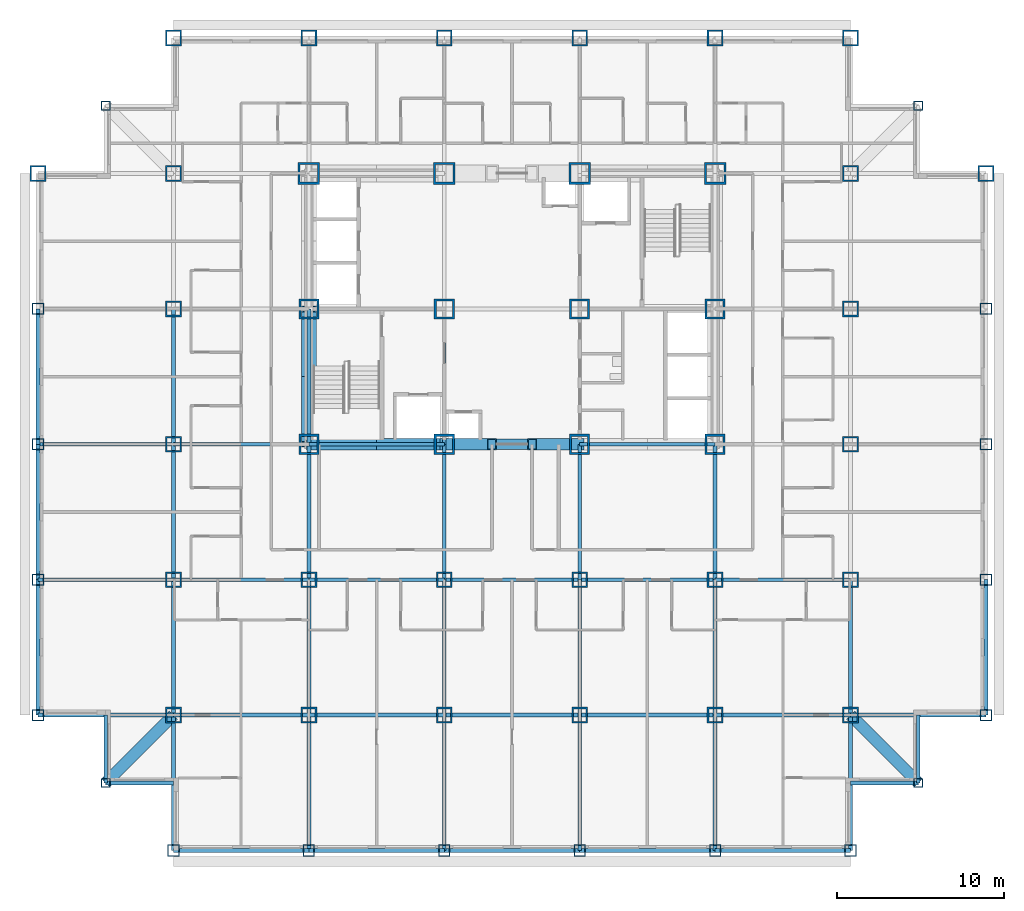
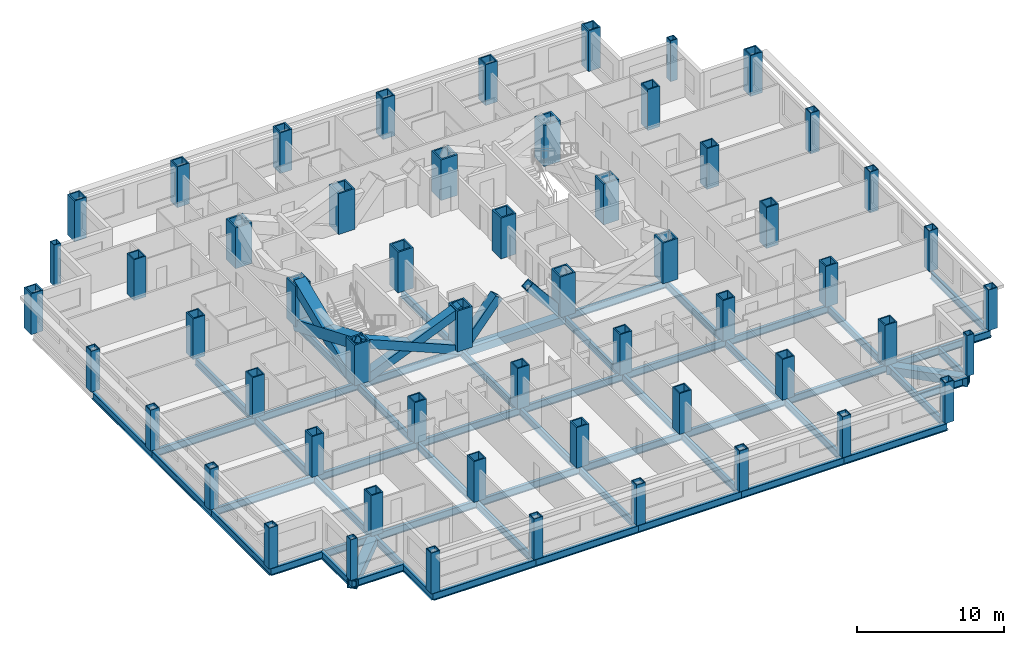
# One storey, part 1 of 12: 56 columns, 53 beams, 6 members.
"""IFC4 building model written with IfcOpenShell, lengths in metres."""

from ifc_helpers import new_model, si_unit, direction, frame, origin, origin_2d, place, context, subcontext, project, spatial, hollow_rectangle, i_section, extrude, material, material_profile, profile_set, type_object, element, save


model = new_model("IFC4")

# Units and contexts
model_context = context("Model", 3, precision=1e-05, world=origin(), true_north=direction((0.0, 1.0)))
body_context = subcontext(model_context, "Body", "Model", "MODEL_VIEW")
ifc_project = project(units=[si_unit("LENGTHUNIT", "METRE"), si_unit("AREAUNIT", "SQUARE_METRE"), si_unit("VOLUMEUNIT", "CUBIC_METRE"), si_unit("PLANEANGLEUNIT", "RADIAN"), si_unit("MASSUNIT", "GRAM", prefix="KILO")], contexts=[model_context])

# Site, building, storey
site_placement = place(None, origin())
site = spatial("IfcSite", under=ifc_project, at=site_placement, CompositionType="ELEMENT")
building_placement = place(site_placement, origin())
building = spatial("IfcBuilding", under=site, at=building_placement, Name="Kopane Lantern Tower", CompositionType="ELEMENT")
storey_placement = place(building_placement, frame((0.0, 0.0, 39.800048828125)))
storey = spatial("IfcBuildingStorey", under=building, at=storey_placement, Name="L08", CompositionType="ELEMENT", Elevation=39.800048828125)

# Columns
ifc_material_1 = material(Name="Steel S355JR", Category="steel")
ifc_material_profile_1 = material_profile(ifc_material_1, hollow_rectangle(XDim=1.199951171875, YDim=1.199951171875, WallThickness=0.1201171875, at=origin_2d()), Name="BOX 1200x1200x120")
ifc_profile_set_1 = profile_set([ifc_material_profile_1], Name="Steel S355JR")
column_type_1 = type_object("IfcColumnType", Name="COLUMN BOX 1200x1200x120", PredefinedType="COLUMN", material=ifc_profile_set_1)
for number, where, z_axis, x_axis, name in (
    (1, (16.199951171875, 24.300048828125, 0.0), (0.0, 0.0, 1.0), (1.0, 0.0, 0.0), "Column 4/E L08"),
    (2, (16.199951171875, 32.39990234375, 0.0), (0.0, 0.0, 1.0), (1.0, 0.0, 0.0), "Column 4/F L08"),
    (3, (24.300048828125, 24.300048828125, 0.0), (0.0, 0.0, 1.0), (1.0, 0.0, 0.0), "Column 5/E L08"),
    (4, (24.300048828125, 32.39990234375, 0.0), (0.0, 0.0, 1.0), (1.0, 0.0, 0.0), "Column 5/F L08"),
    (5, (32.39990234375, 24.300048828125, 0.0), (0.0, 0.0, 1.0), (1.0, 0.0, 0.0), "Column 6/E L08"),
    (6, (32.39990234375, 32.39990234375, 0.0), (0.0, 0.0, 1.0), (1.0, 0.0, 0.0), "Column 6/F L08"),
    (7, (40.5, 24.300048828125, 0.0), (0.0, 0.0, 1.0), (1.0, 0.0, 0.0), "Column 7/E L08"),
    (8, (40.5, 32.39990234375, 0.0), (0.0, 0.0, 1.0), (1.0, 0.0, 0.0), "Column 7/F L08"),
):
    element("IfcColumn", number, at=place(storey_placement, frame(where, z_axis=z_axis, x_axis=x_axis)), inside=storey, type_object=column_type_1, Name=name, PredefinedType="COLUMN", context=body_context, shape_type="SweptSolid", body=[
        extrude(hollow_rectangle(XDim=1.199951171875, YDim=1.199951171875, WallThickness=0.1201171875, at=origin_2d()), origin(), (0.0, 0.0, 1.0), 3.39990234375),
    ])
ifc_material_2 = material(Name="Steel S355JR", Category="steel")
ifc_material_profile_2 = material_profile(ifc_material_2, hollow_rectangle(XDim=1.300048828125, YDim=1.300048828125, WallThickness=0.1298828125, at=origin_2d()), Name="BOX 1300x1300x130")
ifc_profile_set_2 = profile_set([ifc_material_profile_2], Name="Steel S355JR")
column_type_2 = type_object("IfcColumnType", Name="COLUMN BOX 1300x1300x130", PredefinedType="COLUMN", material=ifc_profile_set_2)
for number, where, z_axis, x_axis, name in (
    (9, (16.199951171875, 40.5, 0.0), (0.0, 0.0, 1.0), (1.0, 0.0, 0.0), "Column 4/G L08"),
    (10, (24.300048828125, 40.5, 0.0), (0.0, 0.0, 1.0), (1.0, 0.0, 0.0), "Column 5/G L08"),
    (11, (32.39990234375, 40.5, 0.0), (0.0, 0.0, 1.0), (1.0, 0.0, 0.0), "Column 6/G L08"),
    (12, (40.5, 40.5, 0.0), (0.0, 0.0, 1.0), (1.0, 0.0, 0.0), "Column 7/G L08"),
):
    element("IfcColumn", number, at=place(storey_placement, frame(where, z_axis=z_axis, x_axis=x_axis)), inside=storey, type_object=column_type_2, Name=name, PredefinedType="COLUMN", context=body_context, shape_type="SweptSolid", body=[
        extrude(hollow_rectangle(XDim=1.300048828125, YDim=1.300048828125, WallThickness=0.1298828125, at=origin_2d()), origin(), (0.0, 0.0, 1.0), 3.39990234375),
    ])
ifc_material_3 = material(Name="Steel S355JR", Category="steel")
ifc_material_profile_3 = material_profile(ifc_material_3, hollow_rectangle(XDim=0.550048828125, YDim=0.550048828125, WallThickness=0.050048828125, at=origin_2d()), Name="BOX 550x550x50")
ifc_profile_set_3 = profile_set([ifc_material_profile_3], Name="Steel S355JR")
column_type_3 = type_object("IfcColumnType", Name="COLUMN BOX 550x550x50", PredefinedType="COLUMN", material=ifc_profile_set_3)
for number, where, z_axis, x_axis, name in (
    (13, (4.050048828125, 4.050048828125, 0.0), (0.0, 0.0, 1.0), (1.0, 0.0, 0.0), "Column 4.05/4.05 L08"),
    (14, (4.050048828125, 44.550048828125, 0.0), (0.0, 0.0, 1.0), (1.0, 0.0, 0.0), "Column 4.05/44.55 L08"),
    (15, (52.64990234375, 4.050048828125, 0.0), (0.0, 0.0, 1.0), (1.0, 0.0, 0.0), "Column 52.65/4.05 L08"),
    (16, (52.64990234375, 44.550048828125, 0.0), (0.0, 0.0, 1.0), (1.0, 0.0, 0.0), "Column 52.65/44.55 L08"),
):
    element("IfcColumn", number, at=place(storey_placement, frame(where, z_axis=z_axis, x_axis=x_axis)), inside=storey, type_object=column_type_3, Name=name, PredefinedType="COLUMN", context=body_context, shape_type="SweptSolid", body=[
        extrude(hollow_rectangle(XDim=0.550048828125, YDim=0.550048828125, WallThickness=0.050048828125, at=origin_2d()), origin(), (0.0, 0.0, 1.0), 3.39990234375),
    ])
ifc_material_4 = material(Name="Steel S355JR", Category="steel")
ifc_material_profile_4 = material_profile(ifc_material_4, hollow_rectangle(XDim=0.699951171875, YDim=0.699951171875, WallThickness=0.06005859375, at=origin_2d()), Name="BOX 700x700x60")
ifc_profile_set_4 = profile_set([ifc_material_profile_4], Name="Steel S355JR")
column_type_4 = type_object("IfcColumnType", Name="COLUMN BOX 700x700x60", PredefinedType="COLUMN", material=ifc_profile_set_4)
for number, where, z_axis, x_axis, name in (
    (17, (0.0, 8.10009765625, 0.0), (0.0, 0.0, 1.0), (1.0, 0.0, 0.0), "Column 2/C L08"),
    (18, (0.0, 16.199951171875, 0.0), (0.0, 0.0, 1.0), (1.0, 0.0, 0.0), "Column 2/D L08"),
    (19, (0.0, 24.300048828125, 0.0), (0.0, 0.0, 1.0), (1.0, 0.0, 0.0), "Column 2/E L08"),
    (20, (0.0, 32.39990234375, 0.0), (0.0, 0.0, 1.0), (1.0, 0.0, 0.0), "Column 2/F L08"),
    (21, (8.10009765625, 0.0, 0.0), (0.0, 0.0, 1.0), (1.0, 0.0, 0.0), "Column 3/B L08"),
    (22, (16.199951171875, 0.0, 0.0), (0.0, 0.0, 1.0), (1.0, 0.0, 0.0), "Column 4/B L08"),
    (23, (24.300048828125, 0.0, 0.0), (0.0, 0.0, 1.0), (1.0, 0.0, 0.0), "Column 5/B L08"),
    (24, (32.39990234375, 0.0, 0.0), (0.0, 0.0, 1.0), (1.0, 0.0, 0.0), "Column 6/B L08"),
    (25, (40.5, 0.0, 0.0), (0.0, 0.0, 1.0), (1.0, 0.0, 0.0), "Column 7/B L08"),
    (26, (48.60009765625, 0.0, 0.0), (0.0, 0.0, 1.0), (1.0, 0.0, 0.0), "Column 8/B L08"),
    (27, (56.699951171875, 8.10009765625, 0.0), (0.0, 0.0, 1.0), (1.0, 0.0, 0.0), "Column 9/C L08"),
    (28, (56.699951171875, 16.199951171875, 0.0), (0.0, 0.0, 1.0), (1.0, 0.0, 0.0), "Column 9/D L08"),
    (29, (56.699951171875, 24.300048828125, 0.0), (0.0, 0.0, 1.0), (1.0, 0.0, 0.0), "Column 9/E L08"),
    (30, (56.699951171875, 32.39990234375, 0.0), (0.0, 0.0, 1.0), (1.0, 0.0, 0.0), "Column 9/F L08"),
):
    element("IfcColumn", number, at=place(storey_placement, frame(where, z_axis=z_axis, x_axis=x_axis)), inside=storey, type_object=column_type_4, Name=name, PredefinedType="COLUMN", context=body_context, shape_type="SweptSolid", body=[
        extrude(hollow_rectangle(XDim=0.699951171875, YDim=0.699951171875, WallThickness=0.06005859375, at=origin_2d()), origin(), (0.0, 0.0, 1.0), 3.39990234375),
    ])
ifc_material_5 = material(Name="Steel S355JR", Category="steel")
ifc_material_profile_5 = material_profile(ifc_material_5, hollow_rectangle(XDim=0.949951171875, YDim=0.949951171875, WallThickness=0.094970703125, at=origin_2d()), Name="BOX 950x950x95")
ifc_profile_set_5 = profile_set([ifc_material_profile_5], Name="Steel S355JR")
column_type_5 = type_object("IfcColumnType", Name="COLUMN BOX 950x950x95", PredefinedType="COLUMN", material=ifc_profile_set_5)
for number, where, z_axis, x_axis, name in (
    (31, (0.0, 40.5, 0.0), (0.0, 0.0, 1.0), (1.0, 0.0, 0.0), "Column 2/G L08"),
    (32, (8.10009765625, 8.10009765625, 0.0), (0.0, 0.0, 1.0), (1.0, 0.0, 0.0), "Column 3/C L08"),
    (33, (8.10009765625, 16.199951171875, 0.0), (0.0, 0.0, 1.0), (1.0, 0.0, 0.0), "Column 3/D L08"),
    (34, (8.10009765625, 24.300048828125, 0.0), (0.0, 0.0, 1.0), (1.0, 0.0, 0.0), "Column 3/E L08"),
    (35, (8.10009765625, 32.39990234375, 0.0), (0.0, 0.0, 1.0), (1.0, 0.0, 0.0), "Column 3/F L08"),
    (36, (8.10009765625, 40.5, 0.0), (0.0, 0.0, 1.0), (1.0, 0.0, 0.0), "Column 3/G L08"),
    (37, (8.10009765625, 48.60009765625, 0.0), (0.0, 0.0, 1.0), (1.0, 0.0, 0.0), "Column 3/H L08"),
    (38, (16.199951171875, 8.10009765625, 0.0), (0.0, 0.0, 1.0), (1.0, 0.0, 0.0), "Column 4/C L08"),
    (39, (16.199951171875, 16.199951171875, 0.0), (0.0, 0.0, 1.0), (1.0, 0.0, 0.0), "Column 4/D L08"),
    (40, (16.199951171875, 48.60009765625, 0.0), (0.0, 0.0, 1.0), (1.0, 0.0, 0.0), "Column 4/H L08"),
    (41, (24.300048828125, 8.10009765625, 0.0), (0.0, 0.0, 1.0), (1.0, 0.0, 0.0), "Column 5/C L08"),
    (42, (24.300048828125, 16.199951171875, 0.0), (0.0, 0.0, 1.0), (1.0, 0.0, 0.0), "Column 5/D L08"),
    (43, (24.300048828125, 48.60009765625, 0.0), (0.0, 0.0, 1.0), (1.0, 0.0, 0.0), "Column 5/H L08"),
    (44, (32.39990234375, 8.10009765625, 0.0), (0.0, 0.0, 1.0), (1.0, 0.0, 0.0), "Column 6/C L08"),
    (45, (32.39990234375, 16.199951171875, 0.0), (0.0, 0.0, 1.0), (1.0, 0.0, 0.0), "Column 6/D L08"),
    (46, (32.39990234375, 48.60009765625, 0.0), (0.0, 0.0, 1.0), (1.0, 0.0, 0.0), "Column 6/H L08"),
    (47, (40.5, 8.10009765625, 0.0), (0.0, 0.0, 1.0), (1.0, 0.0, 0.0), "Column 7/C L08"),
    (48, (40.5, 16.199951171875, 0.0), (0.0, 0.0, 1.0), (1.0, 0.0, 0.0), "Column 7/D L08"),
    (49, (40.5, 48.60009765625, 0.0), (0.0, 0.0, 1.0), (1.0, 0.0, 0.0), "Column 7/H L08"),
    (50, (48.60009765625, 8.10009765625, 0.0), (0.0, 0.0, 1.0), (1.0, 0.0, 0.0), "Column 8/C L08"),
    (51, (48.60009765625, 16.199951171875, 0.0), (0.0, 0.0, 1.0), (1.0, 0.0, 0.0), "Column 8/D L08"),
    (52, (48.60009765625, 24.300048828125, 0.0), (0.0, 0.0, 1.0), (1.0, 0.0, 0.0), "Column 8/E L08"),
    (53, (48.60009765625, 32.39990234375, 0.0), (0.0, 0.0, 1.0), (1.0, 0.0, 0.0), "Column 8/F L08"),
    (54, (48.60009765625, 40.5, 0.0), (0.0, 0.0, 1.0), (1.0, 0.0, 0.0), "Column 8/G L08"),
    (55, (48.60009765625, 48.60009765625, 0.0), (0.0, 0.0, 1.0), (1.0, 0.0, 0.0), "Column 8/H L08"),
    (56, (56.699951171875, 40.5, 0.0), (0.0, 0.0, 1.0), (1.0, 0.0, 0.0), "Column 9/G L08"),
):
    element("IfcColumn", number, at=place(storey_placement, frame(where, z_axis=z_axis, x_axis=x_axis)), inside=storey, type_object=column_type_5, Name=name, PredefinedType="COLUMN", context=body_context, shape_type="SweptSolid", body=[
        extrude(hollow_rectangle(XDim=0.949951171875, YDim=0.949951171875, WallThickness=0.094970703125, at=origin_2d()), origin(), (0.0, 0.0, 1.0), 3.39990234375),
    ])

# Members
ifc_material_6 = material(Name="Steel S355JR", Category="steel")
ifc_material_profile_6 = material_profile(ifc_material_6, hollow_rectangle(XDim=0.699951171875, YDim=0.699951171875, WallThickness=0.06005859375, at=origin_2d()), Name="BOX 700x700x60")
ifc_profile_set_6 = profile_set([ifc_material_profile_6], Name="Steel S355JR")
member_type_1 = type_object("IfcMemberType", Name="BRACE BOX 700x700x60", PredefinedType="BRACE", material=ifc_profile_set_6)
for number, where, z_axis, x_axis, name in (
    (57, (16.199951171875, 24.300048828125, -0.2099609375), (0.922069000757, 0.0, 0.387025526088), (0.0, 1.0, 0.0), "Core brace L08"),
    (58, (24.300048828125, 24.300048828125, -0.2099609375), (-0.922069000757, 0.0, 0.387025526088), (0.0, -1.0, 0.0), "Core brace L08"),
):
    element("IfcMember", number, at=place(storey_placement, frame(where, z_axis=z_axis, x_axis=x_axis)), inside=storey, type_object=member_type_1, Name=name, PredefinedType="BRACE", context=body_context, shape_type="SweptSolid", body=[
        extrude(hollow_rectangle(XDim=0.699951171875, YDim=0.699951171875, WallThickness=0.06005859375, at=origin_2d()), origin(), (0.0, 0.0, 1.0), 8.78466796875),
    ])
for number, where, z_axis, x_axis, name in (
    (59, (24.300048828125, 24.300048828125, -0.2099609375), (0.642390257445, 0.0, 0.7663776857), (0.0, 1.0, 0.0), "Core brace L08"),
    (60, (32.39990234375, 24.300048828125, -0.2099609375), (-0.642390257445, 0.0, 0.7663776857), (0.0, -1.0, 0.0), "Core brace L08"),
):
    element("IfcMember", number, at=place(storey_placement, frame(where, z_axis=z_axis, x_axis=x_axis)), inside=storey, type_object=member_type_1, Name=name, PredefinedType="BRACE", context=body_context, shape_type="SweptSolid", body=[
        extrude(hollow_rectangle(XDim=0.699951171875, YDim=0.699951171875, WallThickness=0.06005859375, at=origin_2d()), origin(), (0.0, 0.0, 1.0), 4.436279296875),
    ])
ifc_material_7 = material(Name="Steel S355JR", Category="steel")
ifc_material_profile_7 = material_profile(ifc_material_7, hollow_rectangle(XDim=0.89990234375, YDim=0.89990234375, WallThickness=0.090087890625, at=origin_2d()), Name="BOX 900x900x90")
ifc_profile_set_7 = profile_set([ifc_material_profile_7], Name="Steel S355JR")
member_type_2 = type_object("IfcMemberType", Name="BRACE BOX 900x900x90", PredefinedType="BRACE", material=ifc_profile_set_7)
for number, where, z_axis, x_axis, name in (
    (61, (16.199951171875, 24.300048828125, -0.2099609375), (0.0, 0.922064837731, 0.38703544414), (-1.0, 0.0, 0.0), "Core brace L08"),
    (62, (16.199951171875, 32.39990234375, -0.2099609375), (0.0, -0.922064837731, 0.38703544414), (1.0, 0.0, 0.0), "Core brace L08"),
):
    element("IfcMember", number, at=place(storey_placement, frame(where, z_axis=z_axis, x_axis=x_axis)), inside=storey, type_object=member_type_2, Name=name, PredefinedType="BRACE", context=body_context, shape_type="SweptSolid", body=[
        extrude(hollow_rectangle(XDim=0.89990234375, YDim=0.89990234375, WallThickness=0.090087890625, at=origin_2d()), origin(), (0.0, 0.0, 1.0), 8.784423828125),
    ])

# Beams
ifc_material_8 = material(Name="Steel S355JR", Category="steel")
ifc_material_profile_8 = material_profile(ifc_material_8, i_section(OverallWidth=0.22900390625, OverallDepth=0.6123046875, WebThickness=0.011962890625, FlangeThickness=0.01953125, FilletRadius=0.0126953125, at=origin_2d()), Name="UB 610x229x125")
ifc_profile_set_8 = profile_set([ifc_material_profile_8], Name="Steel S355JR")
beam_type_1 = type_object("IfcBeamType", Name="CORE BEAM UB 610x229x125", PredefinedType="BEAM", material=ifc_profile_set_8)
beam_1_placement = place(storey_placement, frame((24.300048828125, 24.300048828125, -0.51611328125), z_axis=(0.0, 1.0, 0.0), x_axis=(-1.0, 0.0, 0.0)))
element("IfcBeam", 63, at=beam_1_placement, inside=storey, type_object=beam_type_1, Name="Core Beam L08", PredefinedType="BEAM", context=body_context, shape_type="SweptSolid", body=[
    extrude(i_section(OverallWidth=0.22900390625, OverallDepth=0.6123046875, WebThickness=0.011962890625, FlangeThickness=0.01953125, FilletRadius=0.0126953125, at=origin_2d()), origin(), (0.0, 0.0, 1.0), 8.099853515625),
])
ifc_material_9 = material(Name="Steel S355JR", Category="steel")
ifc_material_profile_9 = material_profile(ifc_material_9, hollow_rectangle(XDim=0.699951171875, YDim=0.699951171875, WallThickness=0.06005859375, at=origin_2d()), Name="BOX 700x700x60")
ifc_profile_set_9 = profile_set([ifc_material_profile_9], Name="Steel S355JR")
beam_type_2 = type_object("IfcBeamType", Name="CORNER TIE BEAM BOX 700x700x60", PredefinedType="BEAM", material=ifc_profile_set_9)
for number, where, z_axis, x_axis, name in (
    (64, (4.050048828125, 4.050048828125, -0.56005859375), (0.707106781187, 0.707106781187, 0.0), (-0.707106781187, 0.707106781187, 0.0), "Corner Tie Beam L08"),
    (65, (52.64990234375, 4.050048828125, -0.56005859375), (-0.707085467703, 0.707128094028, 0.0), (-0.707128094028, -0.707085467703, 0.0), "Corner Tie Beam L08"),
):
    element("IfcBeam", number, at=place(storey_placement, frame(where, z_axis=z_axis, x_axis=x_axis)), inside=storey, type_object=beam_type_2, Name=name, PredefinedType="BEAM", context=body_context, shape_type="SweptSolid", body=[
        extrude(hollow_rectangle(XDim=0.699951171875, YDim=0.699951171875, WallThickness=0.06005859375, at=origin_2d()), origin(), (0.0, 0.0, 1.0), 5.7275390625),
    ])
ifc_material_10 = material(Name="Steel S355JR", Category="steel")
ifc_material_profile_10 = material_profile(ifc_material_10, i_section(OverallWidth=0.22900390625, OverallDepth=0.6123046875, WebThickness=0.011962890625, FlangeThickness=0.01953125, FilletRadius=0.0126953125, at=origin_2d()), Name="UB 610x229x125")
ifc_profile_set_10 = profile_set([ifc_material_profile_10], Name="Steel S355JR")
beam_type_3 = type_object("IfcBeamType", Name="EDGE BEAM UB 610x229x125", PredefinedType="BEAM", material=ifc_profile_set_10)
for number, where, z_axis, x_axis, name in (
    (66, (4.050048828125, 4.050048828125, -0.51611328125), (0.0, 1.0, 0.0), (-1.0, 0.0, 0.0), "Edge Beam L08"),
    (67, (4.050048828125, 4.050048828125, -0.51611328125), (1.0, 0.0, 0.0), (0.0, 1.0, 0.0), "Edge Beam L08"),
):
    element("IfcBeam", number, at=place(storey_placement, frame(where, z_axis=z_axis, x_axis=x_axis)), inside=storey, type_object=beam_type_3, Name=name, PredefinedType="BEAM", context=body_context, shape_type="SweptSolid", body=[
        extrude(i_section(OverallWidth=0.22900390625, OverallDepth=0.6123046875, WebThickness=0.011962890625, FlangeThickness=0.01953125, FilletRadius=0.0126953125, at=origin_2d()), origin(), (0.0, 0.0, 1.0), 4.050048828125),
    ])
beam_2_placement = place(storey_placement, frame((52.64990234375, 4.050048828125, -0.51611328125), z_axis=(-1.0, 0.0, 0.0), x_axis=(0.0, -1.0, 0.0)))
element("IfcBeam", 68, at=beam_2_placement, inside=storey, type_object=beam_type_3, Name="Edge Beam L08", PredefinedType="BEAM", context=body_context, shape_type="SweptSolid", body=[
    extrude(i_section(OverallWidth=0.22900390625, OverallDepth=0.6123046875, WebThickness=0.011962890625, FlangeThickness=0.01953125, FilletRadius=0.0126953125, at=origin_2d()), origin(), (0.0, 0.0, 1.0), 4.0498046875),
])
beam_3_placement = place(storey_placement, frame((52.64990234375, 4.050048828125, -0.51611328125), z_axis=(0.0, 1.0, 0.0), x_axis=(-1.0, 0.0, 0.0)))
element("IfcBeam", 69, at=beam_3_placement, inside=storey, type_object=beam_type_3, Name="Edge Beam L08", PredefinedType="BEAM", context=body_context, shape_type="SweptSolid", body=[
    extrude(i_section(OverallWidth=0.22900390625, OverallDepth=0.6123046875, WebThickness=0.011962890625, FlangeThickness=0.01953125, FilletRadius=0.0126953125, at=origin_2d()), origin(), (0.0, 0.0, 1.0), 4.050048828125),
])
ifc_material_11 = material(Name="Steel S355JR", Category="steel")
ifc_material_profile_11 = material_profile(ifc_material_11, i_section(OverallWidth=0.22900390625, OverallDepth=0.6123046875, WebThickness=0.011962890625, FlangeThickness=0.01953125, FilletRadius=0.0126953125, at=origin_2d()), Name="UB 610x229x125")
ifc_profile_set_11 = profile_set([ifc_material_profile_11], Name="Steel S355JR")
beam_type_4 = type_object("IfcBeamType", Name="GIRDER UB 610x229x125", PredefinedType="BEAM", material=ifc_profile_set_11)
beam_4_placement = place(storey_placement, frame((0.0, 8.10009765625, -0.51611328125), z_axis=(0.0, 1.0, 0.0), x_axis=(-1.0, 0.0, 0.0)))
element("IfcBeam", 70, at=beam_4_placement, inside=storey, type_object=beam_type_4, Name="Girder L08", PredefinedType="BEAM", context=body_context, shape_type="SweptSolid", body=[
    extrude(i_section(OverallWidth=0.22900390625, OverallDepth=0.6123046875, WebThickness=0.011962890625, FlangeThickness=0.01953125, FilletRadius=0.0126953125, at=origin_2d()), origin(), (0.0, 0.0, 1.0), 8.099853515625),
])
for number, where, z_axis, x_axis, name in (
    (71, (0.0, 8.10009765625, -0.51611328125), (1.0, 0.0, 0.0), (0.0, 1.0, 0.0), "Girder L08"),
    (72, (0.0, 16.199951171875, -0.51611328125), (0.0, 1.0, 0.0), (-1.0, 0.0, 0.0), "Girder L08"),
    (73, (0.0, 16.199951171875, -0.51611328125), (1.0, 0.0, 0.0), (0.0, 1.0, 0.0), "Girder L08"),
):
    element("IfcBeam", number, at=place(storey_placement, frame(where, z_axis=z_axis, x_axis=x_axis)), inside=storey, type_object=beam_type_4, Name=name, PredefinedType="BEAM", context=body_context, shape_type="SweptSolid", body=[
        extrude(i_section(OverallWidth=0.22900390625, OverallDepth=0.6123046875, WebThickness=0.011962890625, FlangeThickness=0.01953125, FilletRadius=0.0126953125, at=origin_2d()), origin(), (0.0, 0.0, 1.0), 8.10009765625),
    ])
beam_5_placement = place(storey_placement, frame((0.0, 24.300048828125, -0.51611328125), z_axis=(0.0, 1.0, 0.0), x_axis=(-1.0, 0.0, 0.0)))
element("IfcBeam", 74, at=beam_5_placement, inside=storey, type_object=beam_type_4, Name="Girder L08", PredefinedType="BEAM", context=body_context, shape_type="SweptSolid", body=[
    extrude(i_section(OverallWidth=0.22900390625, OverallDepth=0.6123046875, WebThickness=0.011962890625, FlangeThickness=0.01953125, FilletRadius=0.0126953125, at=origin_2d()), origin(), (0.0, 0.0, 1.0), 8.099853515625),
])
for number, where, z_axis, x_axis, name in (
    (75, (0.0, 24.300048828125, -0.51611328125), (1.0, 0.0, 0.0), (0.0, 1.0, 0.0), "Girder L08"),
    (76, (8.10009765625, 0.0, -0.51611328125), (0.0, 1.0, 0.0), (-1.0, 0.0, 0.0), "Girder L08"),
):
    element("IfcBeam", number, at=place(storey_placement, frame(where, z_axis=z_axis, x_axis=x_axis)), inside=storey, type_object=beam_type_4, Name=name, PredefinedType="BEAM", context=body_context, shape_type="SweptSolid", body=[
        extrude(i_section(OverallWidth=0.22900390625, OverallDepth=0.6123046875, WebThickness=0.011962890625, FlangeThickness=0.01953125, FilletRadius=0.0126953125, at=origin_2d()), origin(), (0.0, 0.0, 1.0), 8.10009765625),
    ])
for number, where, z_axis, x_axis, name in (
    (77, (8.10009765625, 0.0, -0.51611328125), (1.0, 0.0, 0.0), (0.0, 1.0, 0.0), "Girder L08"),
    (78, (8.10009765625, 8.10009765625, -0.51611328125), (0.0, 1.0, 0.0), (-1.0, 0.0, 0.0), "Girder L08"),
    (79, (8.10009765625, 8.10009765625, -0.51611328125), (1.0, 0.0, 0.0), (0.0, 1.0, 0.0), "Girder L08"),
):
    element("IfcBeam", number, at=place(storey_placement, frame(where, z_axis=z_axis, x_axis=x_axis)), inside=storey, type_object=beam_type_4, Name=name, PredefinedType="BEAM", context=body_context, shape_type="SweptSolid", body=[
        extrude(i_section(OverallWidth=0.22900390625, OverallDepth=0.6123046875, WebThickness=0.011962890625, FlangeThickness=0.01953125, FilletRadius=0.0126953125, at=origin_2d()), origin(), (0.0, 0.0, 1.0), 8.099853515625),
    ])
beam_6_placement = place(storey_placement, frame((8.10009765625, 16.199951171875, -0.51611328125), z_axis=(0.0, 1.0, 0.0), x_axis=(-1.0, 0.0, 0.0)))
element("IfcBeam", 80, at=beam_6_placement, inside=storey, type_object=beam_type_4, Name="Girder L08", PredefinedType="BEAM", context=body_context, shape_type="SweptSolid", body=[
    extrude(i_section(OverallWidth=0.22900390625, OverallDepth=0.6123046875, WebThickness=0.011962890625, FlangeThickness=0.01953125, FilletRadius=0.0126953125, at=origin_2d()), origin(), (0.0, 0.0, 1.0), 8.10009765625),
])
for number, where, z_axis, x_axis, name in (
    (81, (8.10009765625, 16.199951171875, -0.51611328125), (1.0, 0.0, 0.0), (0.0, 1.0, 0.0), "Girder L08"),
    (82, (8.10009765625, 24.300048828125, -0.51611328125), (0.0, 1.0, 0.0), (-1.0, 0.0, 0.0), "Girder L08"),
    (83, (8.10009765625, 24.300048828125, -0.51611328125), (1.0, 0.0, 0.0), (0.0, 1.0, 0.0), "Girder L08"),
):
    element("IfcBeam", number, at=place(storey_placement, frame(where, z_axis=z_axis, x_axis=x_axis)), inside=storey, type_object=beam_type_4, Name=name, PredefinedType="BEAM", context=body_context, shape_type="SweptSolid", body=[
        extrude(i_section(OverallWidth=0.22900390625, OverallDepth=0.6123046875, WebThickness=0.011962890625, FlangeThickness=0.01953125, FilletRadius=0.0126953125, at=origin_2d()), origin(), (0.0, 0.0, 1.0), 8.099853515625),
    ])
for number, where, z_axis, x_axis, name in (
    (84, (16.199951171875, 0.0, -0.51611328125), (0.0, 1.0, 0.0), (-1.0, 0.0, 0.0), "Girder L08"),
    (85, (16.199951171875, 0.0, -0.51611328125), (1.0, 0.0, 0.0), (0.0, 1.0, 0.0), "Girder L08"),
):
    element("IfcBeam", number, at=place(storey_placement, frame(where, z_axis=z_axis, x_axis=x_axis)), inside=storey, type_object=beam_type_4, Name=name, PredefinedType="BEAM", context=body_context, shape_type="SweptSolid", body=[
        extrude(i_section(OverallWidth=0.22900390625, OverallDepth=0.6123046875, WebThickness=0.011962890625, FlangeThickness=0.01953125, FilletRadius=0.0126953125, at=origin_2d()), origin(), (0.0, 0.0, 1.0), 8.10009765625),
    ])
beam_7_placement = place(storey_placement, frame((16.199951171875, 8.10009765625, -0.51611328125), z_axis=(0.0, 1.0, 0.0), x_axis=(-1.0, 0.0, 0.0)))
element("IfcBeam", 86, at=beam_7_placement, inside=storey, type_object=beam_type_4, Name="Girder L08", PredefinedType="BEAM", context=body_context, shape_type="SweptSolid", body=[
    extrude(i_section(OverallWidth=0.22900390625, OverallDepth=0.6123046875, WebThickness=0.011962890625, FlangeThickness=0.01953125, FilletRadius=0.0126953125, at=origin_2d()), origin(), (0.0, 0.0, 1.0), 8.099853515625),
])
for number, where, z_axis, x_axis, name in (
    (87, (16.199951171875, 8.10009765625, -0.51611328125), (1.0, 0.0, 0.0), (0.0, 1.0, 0.0), "Girder L08"),
    (88, (16.199951171875, 16.199951171875, -0.51611328125), (0.0, 1.0, 0.0), (-1.0, 0.0, 0.0), "Girder L08"),
    (89, (16.199951171875, 16.199951171875, -0.51611328125), (1.0, 0.0, 0.0), (0.0, 1.0, 0.0), "Girder L08"),
):
    element("IfcBeam", number, at=place(storey_placement, frame(where, z_axis=z_axis, x_axis=x_axis)), inside=storey, type_object=beam_type_4, Name=name, PredefinedType="BEAM", context=body_context, shape_type="SweptSolid", body=[
        extrude(i_section(OverallWidth=0.22900390625, OverallDepth=0.6123046875, WebThickness=0.011962890625, FlangeThickness=0.01953125, FilletRadius=0.0126953125, at=origin_2d()), origin(), (0.0, 0.0, 1.0), 8.10009765625),
    ])
beam_8_placement = place(storey_placement, frame((16.199951171875, 24.300048828125, -0.51611328125), z_axis=(0.0, 1.0, 0.0), x_axis=(-1.0, 0.0, 0.0)))
element("IfcBeam", 90, at=beam_8_placement, inside=storey, type_object=beam_type_4, Name="Girder L08", PredefinedType="BEAM", context=body_context, shape_type="SweptSolid", body=[
    extrude(i_section(OverallWidth=0.22900390625, OverallDepth=0.6123046875, WebThickness=0.011962890625, FlangeThickness=0.01953125, FilletRadius=0.0126953125, at=origin_2d()), origin(), (0.0, 0.0, 1.0), 8.099853515625),
])
for number, where, z_axis, x_axis, name in (
    (91, (16.199951171875, 24.300048828125, -0.51611328125), (1.0, 0.0, 0.0), (0.0, 1.0, 0.0), "Girder L08"),
    (92, (24.300048828125, 0.0, -0.51611328125), (0.0, 1.0, 0.0), (-1.0, 0.0, 0.0), "Girder L08"),
):
    element("IfcBeam", number, at=place(storey_placement, frame(where, z_axis=z_axis, x_axis=x_axis)), inside=storey, type_object=beam_type_4, Name=name, PredefinedType="BEAM", context=body_context, shape_type="SweptSolid", body=[
        extrude(i_section(OverallWidth=0.22900390625, OverallDepth=0.6123046875, WebThickness=0.011962890625, FlangeThickness=0.01953125, FilletRadius=0.0126953125, at=origin_2d()), origin(), (0.0, 0.0, 1.0), 8.10009765625),
    ])
for number, where, z_axis, x_axis, name in (
    (93, (24.300048828125, 0.0, -0.51611328125), (1.0, 0.0, 0.0), (0.0, 1.0, 0.0), "Girder L08"),
    (94, (24.300048828125, 8.10009765625, -0.51611328125), (0.0, 1.0, 0.0), (-1.0, 0.0, 0.0), "Girder L08"),
    (95, (24.300048828125, 8.10009765625, -0.51611328125), (1.0, 0.0, 0.0), (0.0, 1.0, 0.0), "Girder L08"),
):
    element("IfcBeam", number, at=place(storey_placement, frame(where, z_axis=z_axis, x_axis=x_axis)), inside=storey, type_object=beam_type_4, Name=name, PredefinedType="BEAM", context=body_context, shape_type="SweptSolid", body=[
        extrude(i_section(OverallWidth=0.22900390625, OverallDepth=0.6123046875, WebThickness=0.011962890625, FlangeThickness=0.01953125, FilletRadius=0.0126953125, at=origin_2d()), origin(), (0.0, 0.0, 1.0), 8.099853515625),
    ])
beam_9_placement = place(storey_placement, frame((24.300048828125, 16.199951171875, -0.51611328125), z_axis=(0.0, 1.0, 0.0), x_axis=(-1.0, 0.0, 0.0)))
element("IfcBeam", 96, at=beam_9_placement, inside=storey, type_object=beam_type_4, Name="Girder L08", PredefinedType="BEAM", context=body_context, shape_type="SweptSolid", body=[
    extrude(i_section(OverallWidth=0.22900390625, OverallDepth=0.6123046875, WebThickness=0.011962890625, FlangeThickness=0.01953125, FilletRadius=0.0126953125, at=origin_2d()), origin(), (0.0, 0.0, 1.0), 8.10009765625),
])
beam_10_placement = place(storey_placement, frame((24.300048828125, 16.199951171875, -0.51611328125), z_axis=(1.0, 0.0, 0.0), x_axis=(0.0, 1.0, 0.0)))
element("IfcBeam", 97, at=beam_10_placement, inside=storey, type_object=beam_type_4, Name="Girder L08", PredefinedType="BEAM", context=body_context, shape_type="SweptSolid", body=[
    extrude(i_section(OverallWidth=0.22900390625, OverallDepth=0.6123046875, WebThickness=0.011962890625, FlangeThickness=0.01953125, FilletRadius=0.0126953125, at=origin_2d()), origin(), (0.0, 0.0, 1.0), 8.099853515625),
])
for number, where, z_axis, x_axis, name in (
    (98, (32.39990234375, 0.0, -0.51611328125), (0.0, 1.0, 0.0), (-1.0, 0.0, 0.0), "Girder L08"),
    (99, (32.39990234375, 0.0, -0.51611328125), (1.0, 0.0, 0.0), (0.0, 1.0, 0.0), "Girder L08"),
):
    element("IfcBeam", number, at=place(storey_placement, frame(where, z_axis=z_axis, x_axis=x_axis)), inside=storey, type_object=beam_type_4, Name=name, PredefinedType="BEAM", context=body_context, shape_type="SweptSolid", body=[
        extrude(i_section(OverallWidth=0.22900390625, OverallDepth=0.6123046875, WebThickness=0.011962890625, FlangeThickness=0.01953125, FilletRadius=0.0126953125, at=origin_2d()), origin(), (0.0, 0.0, 1.0), 8.10009765625),
    ])
beam_11_placement = place(storey_placement, frame((32.39990234375, 8.10009765625, -0.51611328125), z_axis=(0.0, 1.0, 0.0), x_axis=(-1.0, 0.0, 0.0)))
element("IfcBeam", 100, at=beam_11_placement, inside=storey, type_object=beam_type_4, Name="Girder L08", PredefinedType="BEAM", context=body_context, shape_type="SweptSolid", body=[
    extrude(i_section(OverallWidth=0.22900390625, OverallDepth=0.6123046875, WebThickness=0.011962890625, FlangeThickness=0.01953125, FilletRadius=0.0126953125, at=origin_2d()), origin(), (0.0, 0.0, 1.0), 8.099853515625),
])
for number, where, z_axis, x_axis, name in (
    (101, (32.39990234375, 8.10009765625, -0.51611328125), (1.0, 0.0, 0.0), (0.0, 1.0, 0.0), "Girder L08"),
    (102, (32.39990234375, 16.199951171875, -0.51611328125), (0.0, 1.0, 0.0), (-1.0, 0.0, 0.0), "Girder L08"),
    (103, (32.39990234375, 16.199951171875, -0.51611328125), (1.0, 0.0, 0.0), (0.0, 1.0, 0.0), "Girder L08"),
    (104, (32.39990234375, 24.300048828125, -0.51611328125), (1.0, 0.0, 0.0), (0.0, 1.0, 0.0), "Girder L08"),
    (105, (40.5, 0.0, -0.51611328125), (0.0, 1.0, 0.0), (-1.0, 0.0, 0.0), "Girder L08"),
    (106, (40.5, 0.0, -0.51611328125), (1.0, 0.0, 0.0), (0.0, 1.0, 0.0), "Girder L08"),
):
    element("IfcBeam", number, at=place(storey_placement, frame(where, z_axis=z_axis, x_axis=x_axis)), inside=storey, type_object=beam_type_4, Name=name, PredefinedType="BEAM", context=body_context, shape_type="SweptSolid", body=[
        extrude(i_section(OverallWidth=0.22900390625, OverallDepth=0.6123046875, WebThickness=0.011962890625, FlangeThickness=0.01953125, FilletRadius=0.0126953125, at=origin_2d()), origin(), (0.0, 0.0, 1.0), 8.10009765625),
    ])
beam_12_placement = place(storey_placement, frame((40.5, 8.10009765625, -0.51611328125), z_axis=(0.0, 1.0, 0.0), x_axis=(-1.0, 0.0, 0.0)))
element("IfcBeam", 107, at=beam_12_placement, inside=storey, type_object=beam_type_4, Name="Girder L08", PredefinedType="BEAM", context=body_context, shape_type="SweptSolid", body=[
    extrude(i_section(OverallWidth=0.22900390625, OverallDepth=0.6123046875, WebThickness=0.011962890625, FlangeThickness=0.01953125, FilletRadius=0.0126953125, at=origin_2d()), origin(), (0.0, 0.0, 1.0), 8.099853515625),
])
for number, where, z_axis, x_axis, name in (
    (108, (40.5, 8.10009765625, -0.51611328125), (1.0, 0.0, 0.0), (0.0, 1.0, 0.0), "Girder L08"),
    (109, (40.5, 16.199951171875, -0.51611328125), (0.0, 1.0, 0.0), (-1.0, 0.0, 0.0), "Girder L08"),
    (110, (40.5, 16.199951171875, -0.51611328125), (1.0, 0.0, 0.0), (0.0, 1.0, 0.0), "Girder L08"),
    (111, (48.60009765625, 0.0, -0.51611328125), (0.0, 1.0, 0.0), (-1.0, 0.0, 0.0), "Girder L08"),
):
    element("IfcBeam", number, at=place(storey_placement, frame(where, z_axis=z_axis, x_axis=x_axis)), inside=storey, type_object=beam_type_4, Name=name, PredefinedType="BEAM", context=body_context, shape_type="SweptSolid", body=[
        extrude(i_section(OverallWidth=0.22900390625, OverallDepth=0.6123046875, WebThickness=0.011962890625, FlangeThickness=0.01953125, FilletRadius=0.0126953125, at=origin_2d()), origin(), (0.0, 0.0, 1.0), 8.10009765625),
    ])
for number, where, z_axis, x_axis, name in (
    (112, (48.60009765625, 8.10009765625, -0.51611328125), (0.0, 1.0, 0.0), (-1.0, 0.0, 0.0), "Girder L08"),
    (113, (48.60009765625, 8.10009765625, -0.51611328125), (1.0, 0.0, 0.0), (0.0, 1.0, 0.0), "Girder L08"),
    (114, (56.699951171875, 8.10009765625, -0.51611328125), (0.0, 1.0, 0.0), (-1.0, 0.0, 0.0), "Girder L08"),
):
    element("IfcBeam", number, at=place(storey_placement, frame(where, z_axis=z_axis, x_axis=x_axis)), inside=storey, type_object=beam_type_4, Name=name, PredefinedType="BEAM", context=body_context, shape_type="SweptSolid", body=[
        extrude(i_section(OverallWidth=0.22900390625, OverallDepth=0.6123046875, WebThickness=0.011962890625, FlangeThickness=0.01953125, FilletRadius=0.0126953125, at=origin_2d()), origin(), (0.0, 0.0, 1.0), 8.099853515625),
    ])
ifc_material_12 = material(Name="Steel S355JR", Category="steel")
ifc_material_profile_12 = material_profile(ifc_material_12, hollow_rectangle(XDim=0.64990234375, YDim=0.64990234375, WallThickness=0.070068359375, at=origin_2d()), Name="BOX 650x650x70")
ifc_profile_set_12 = profile_set([ifc_material_profile_12], Name="Steel S355JR")
beam_type_5 = type_object("IfcBeamType", Name="LINK BEAM BOX 650x650x70", PredefinedType="BEAM", material=ifc_profile_set_12)
beam_13_placement = place(storey_placement, frame((24.300048828125, 24.300048828125, -0.53515625), z_axis=(1.0, 0.0, 0.0), x_axis=(0.0, 1.0, 0.0)))
element("IfcBeam", 115, at=beam_13_placement, inside=storey, type_object=beam_type_5, Name="Link Beam L08", PredefinedType="BEAM", context=body_context, shape_type="SweptSolid", body=[
    extrude(hollow_rectangle(XDim=0.64990234375, YDim=0.64990234375, WallThickness=0.070068359375, at=origin_2d()), origin(), (0.0, 0.0, 1.0), 8.099853515625),
])

save(model, "model.ifc")
